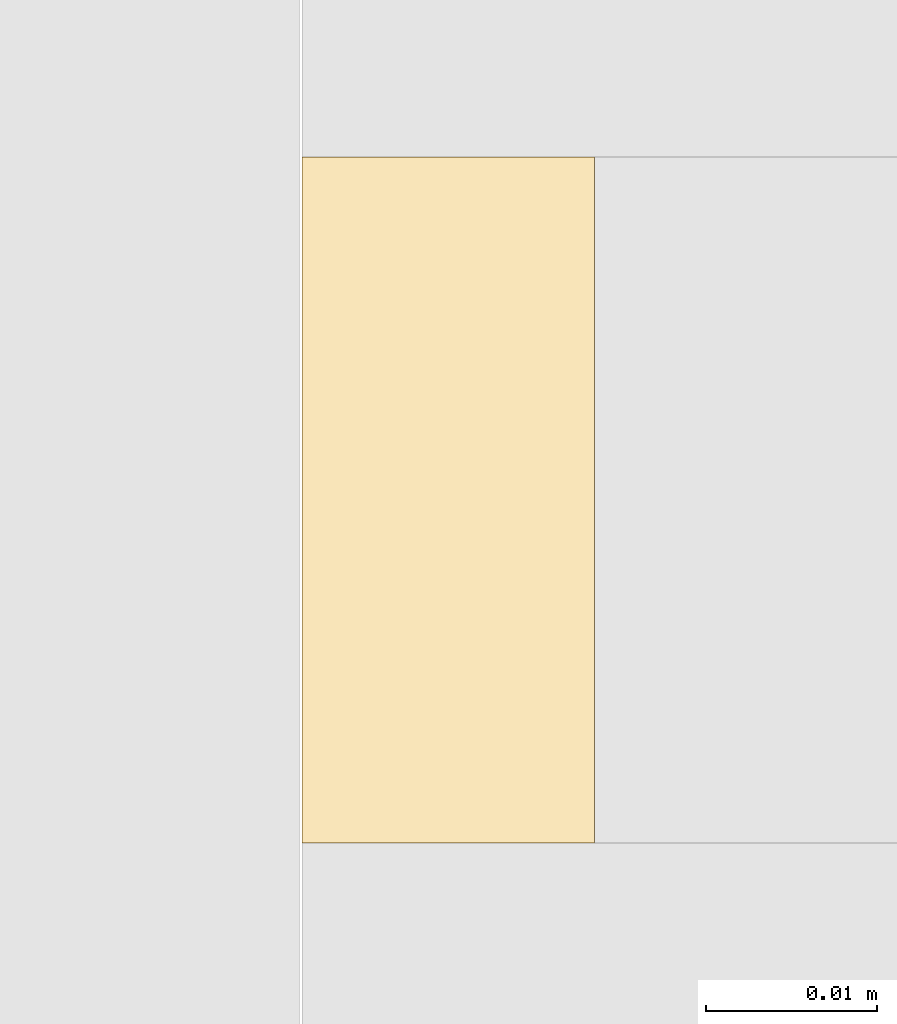
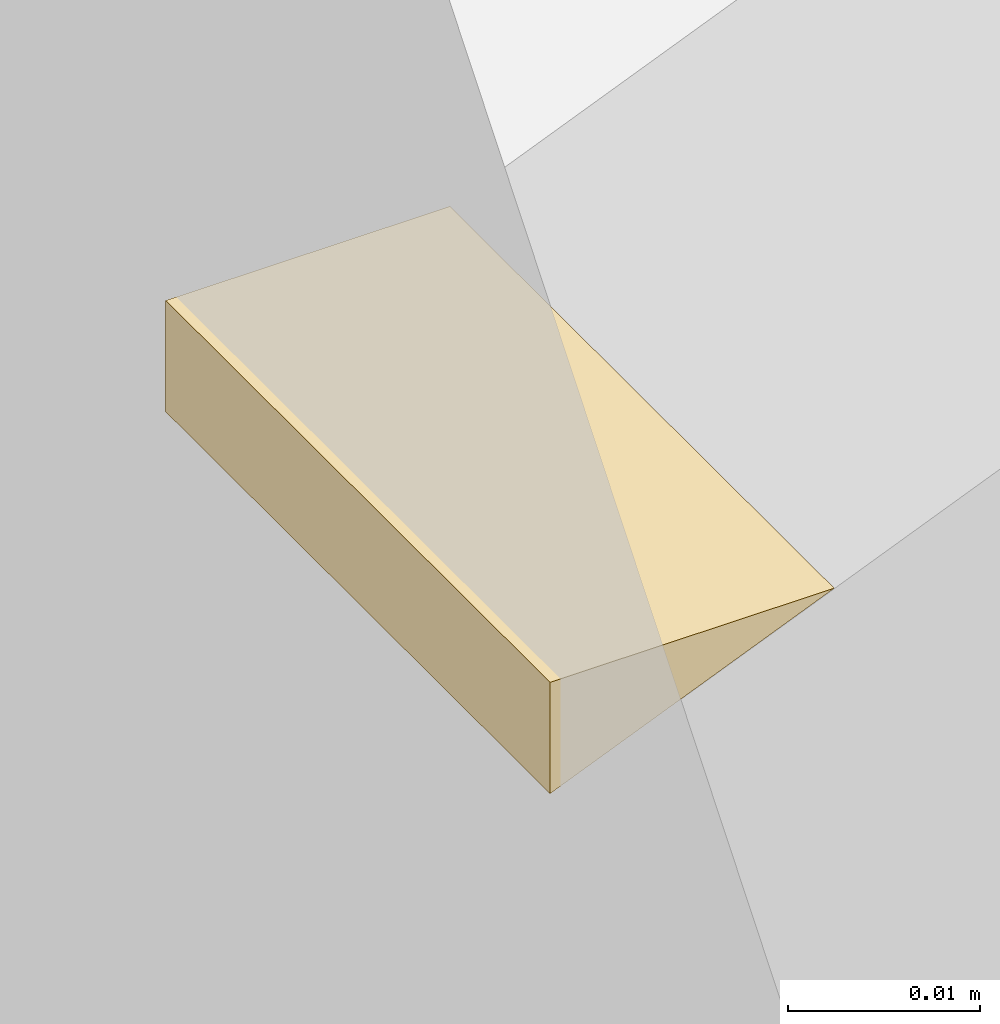
# One storey, part 22 of 25: 1 covering.
"""IFC4 building model written with IfcOpenShell, lengths in metres."""

from ifc_helpers import new_model, si_unit, direction, frame, origin, place, context, subcontext, project, spatial, polyline, outline, extrude, material, layer, layer_set, type_object, element, save


model = new_model("IFC4")

# Units and contexts
model_context = context("Model", 3, precision=1e-05, world=origin(), true_north=direction((0.0, 1.0)))
body_context = subcontext(model_context, "Body", "Model", "MODEL_VIEW")
ifc_project = project(units=[si_unit("LENGTHUNIT", "METRE"), si_unit("AREAUNIT", "SQUARE_METRE"), si_unit("VOLUMEUNIT", "CUBIC_METRE"), si_unit("PLANEANGLEUNIT", "RADIAN"), si_unit("MASSUNIT", "GRAM", prefix="KILO")], contexts=[model_context])

# Site, building, storey
site_placement = place(None, origin())
site = spatial("IfcSite", under=ifc_project, at=site_placement, CompositionType="ELEMENT")
building_placement = place(site_placement, origin())
building = spatial("IfcBuilding", under=site, at=building_placement, Name="Malebo Sky Hospital", CompositionType="ELEMENT")
storey_placement = place(building_placement, frame((0.0, 0.0, 241.0)))
storey = spatial("IfcBuildingStorey", under=building, at=storey_placement, Name="L58", CompositionType="ELEMENT", Elevation=241.0)

# Covering
ifc_material = material(Name="Anodised aluminium, natural silver insulated infill panel", Category="aluminium")
ifc_layer = layer(ifc_material, 0.0400390625)
ifc_layer_set = layer_set([ifc_layer], Name="BRACE INFILL PANEL 40")
covering_type = type_object("IfcCoveringType", Name="BRACE INFILL PANEL 40", PredefinedType="CLADDING", material=ifc_layer_set)
covering_placement = place(storey_placement, frame((54.046142578125, 39.425048828125, 3.3828125), z_axis=(0.0, 0.0, 1.0), x_axis=(-1.0, 0.0, 0.0)))
element("IfcCovering", 1, at=covering_placement, inside=storey, type_object=covering_type, Name="Brace infill panel 9.3", PredefinedType="CLADDING", context=body_context, shape_type="SweptSolid", body=[
    extrude(outline(polyline([(0.008544921875, 0.0), (0.008544921875, 0.007080078125), (-0.008544921875, 0.007080078125), (0.008544921875, 0.0)])), frame((0.0, 0.02001953125, 0.0), z_axis=(0.0, -1.0, 0.0), x_axis=(1.0, 0.0, 0.0)), (0.0, 0.0, 1.0), 0.0400390625),
])

save(model, "model.ifc")
